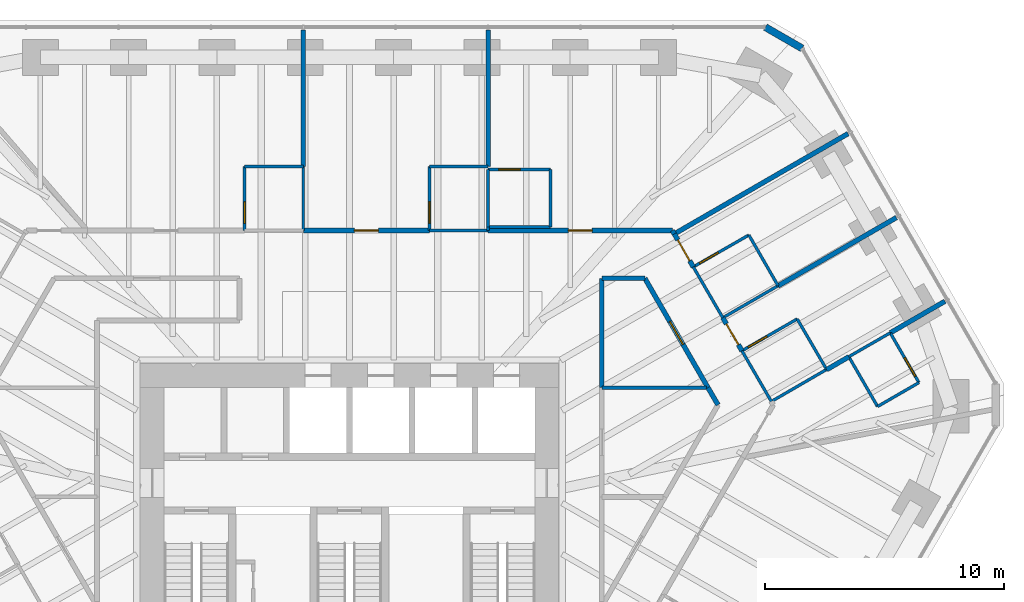
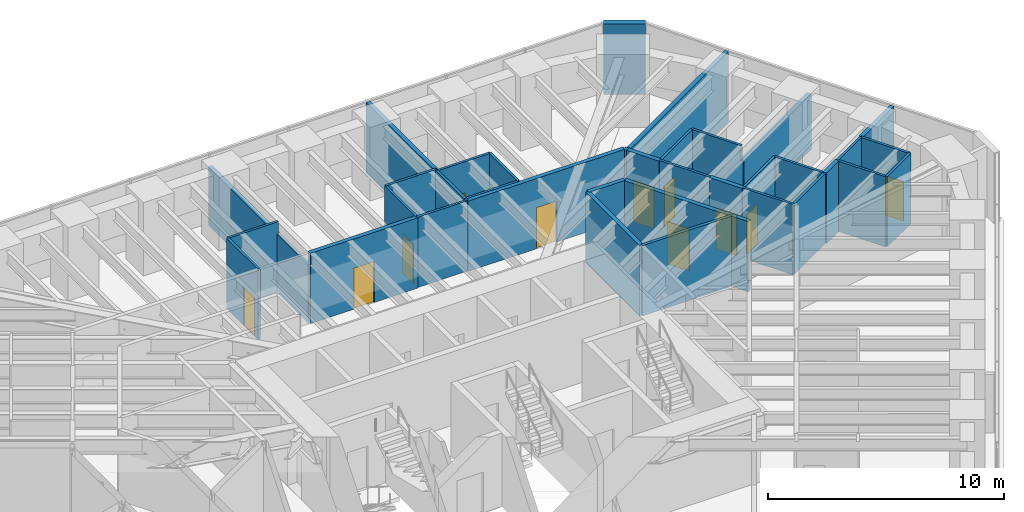
# One storey, part 15 of 17: 40 walls, 11 doors, 11 openings.
"""IFC4 building model written with IfcOpenShell, lengths in metres."""

from ifc_helpers import new_model, si_unit, direction, frame, frame_2d, origin, place, context, subcontext, project, spatial, rectangle, extrude, material, layer, layer_set, type_object, element, fill, save


model = new_model("IFC4")

# Units and contexts
model_context = context("Model", 3, precision=1e-05, world=origin(), true_north=direction((0.0, 1.0)))
body_context = subcontext(model_context, "Body", "Model", "MODEL_VIEW")
ifc_project = project(units=[si_unit("LENGTHUNIT", "METRE"), si_unit("AREAUNIT", "SQUARE_METRE"), si_unit("VOLUMEUNIT", "CUBIC_METRE"), si_unit("PLANEANGLEUNIT", "RADIAN"), si_unit("MASSUNIT", "GRAM", prefix="KILO")], contexts=[model_context])

# Site, building, storey
site_placement = place(None, origin())
site = spatial("IfcSite", under=ifc_project, at=site_placement, CompositionType="ELEMENT")
building_placement = place(site_placement, origin())
building = spatial("IfcBuilding", under=site, at=building_placement, Name="Sandreach Pilgrim Tower", CompositionType="ELEMENT")
storey_placement = place(building_placement, frame((0.0, 0.0, 194.60009765625)))
storey = spatial("IfcBuildingStorey", under=building, at=storey_placement, Name="L48", CompositionType="ELEMENT", Elevation=194.60009765625)

# Wall
ifc_material_1 = material(Name="Gypsum board on steel studs", Category="steel")
ifc_layer_1 = layer(ifc_material_1, 0.14990234375)
ifc_layer_set_1 = layer_set([ifc_layer_1], Name="Back of house wall 150")
wall_type_1 = type_object("IfcWallType", Name="Back of house wall 150", PredefinedType="PARTITIONING", material=ifc_layer_set_1)
wall_1_placement = place(storey_placement, frame((14.93505859375, 6.090087890625, 0.0), z_axis=(0.0, 0.0, 1.0), x_axis=(-1.0, 0.0, 0.0)))
element("IfcWall", 1, at=wall_1_placement, inside=storey, type_object=wall_type_1, Name="Back of house wall L48-140", PredefinedType="PARTITIONING", context=body_context, shape_type="SweptSolid", body=[
    extrude(rectangle(XDim=4.385009765625, YDim=0.14990234375, at=frame_2d((2.1923828125, 0.0))), origin(), (0.0, 0.0, 1.0), 3.639892578125),
])

# Wall, opening, door
ifc_material_2 = material(Name="Moisture-resistant gypsum board on steel studs", Category="steel")
ifc_layer_2 = layer(ifc_material_2, 0.1201171875)
ifc_layer_set_2 = layer_set([ifc_layer_2], Name="Bathroom partition 120")
wall_type_2 = type_object("IfcWallType", Name="Bathroom partition 120", PredefinedType="PARTITIONING", material=ifc_layer_set_2)
wall_2_placement = place(storey_placement, frame((-4.3798828125, 15.330078125, 0.0), z_axis=(0.0, 0.0, 1.0), x_axis=(0.0, -1.0, 0.0)))
wall_2 = element("IfcWall", 2, at=wall_2_placement, inside=storey, type_object=wall_type_2, Name="Bathroom partition L48-064", PredefinedType="PARTITIONING", context=body_context, shape_type="SweptSolid", body=[
    extrude(rectangle(XDim=2.670166015625, YDim=0.1201171875, at=frame_2d((1.3349609375, 0.0))), origin(), (0.0, 0.0, 1.0), 3.639892578125),
])
opening_1_placement = place(wall_2_placement, frame((1.469970703125, 0.0, 0.0)))
opening_1 = element("IfcOpeningElement", 3, at=opening_1_placement, cuts=wall_2, Name="Opening D09-01B", PredefinedType="OPENING", context=body_context, shape_type="SweptSolid", body=[
    extrude(rectangle(XDim=0.89990234375, YDim=2.030029296875, at=frame_2d((0.449951171875, 1.01513671875))), frame((0.0, 0.06005859375, 0.0), z_axis=(0.0, -1.0, 0.0), x_axis=(1.0, 0.0, 0.0)), (0.0, 0.0, 1.0), 0.1201171875),
])
ifc_material_3 = material(Name="Timber door, steel frame", Category="steel")
door_type_1 = type_object("IfcDoorType", Name="Bathroom door", OperationType="SINGLE_SWING_LEFT", PredefinedType="DOOR", material=ifc_material_3)
door_1_placement = place(opening_1_placement, origin())
door_1 = element("IfcDoor", 4, at=door_1_placement, inside=storey, type_object=door_type_1, Name="Door 4801B", OperationType="SINGLE_SWING_RIGHT", OverallHeight=2.030029296875, OverallWidth=0.89990234375, PredefinedType="DOOR", context=body_context, shape_type="SweptSolid", body=[
    extrude(rectangle(XDim=0.89990234375, YDim=2.030029296875, at=frame_2d((0.449951171875, 1.01513671875))), frame((0.0, 0.02490234375, 0.0), z_axis=(0.0, -1.0, 0.0), x_axis=(1.0, 0.0, 0.0)), (0.0, 0.0, 1.0), 0.050048828125),
])
fill(opening_1, door_1)

# Walls
wall_3_placement = place(storey_placement, frame((-1.929931640625, 15.330078125, 0.0), z_axis=(0.0, 0.0, 1.0), x_axis=(-1.0, 0.0, 0.0)))
element("IfcWall", 5, at=wall_3_placement, inside=storey, type_object=wall_type_2, Name="Bathroom partition L48-077", PredefinedType="PARTITIONING", context=body_context, shape_type="SweptSolid", body=[
    extrude(rectangle(XDim=2.449951171875, YDim=0.1201171875, at=frame_2d((1.22509765625, 0.0))), origin(), (0.0, 0.0, 1.0), 3.639892578125),
])
wall_4_placement = place(storey_placement, frame((-1.929931640625, 15.330078125, 0.0), z_axis=(0.0, 0.0, 1.0), x_axis=(0.0, -1.0, 0.0)))
element("IfcWall", 6, at=wall_4_placement, inside=storey, type_object=wall_type_2, Name="Bathroom partition L48-078", PredefinedType="PARTITIONING", context=body_context, shape_type="SweptSolid", body=[
    extrude(rectangle(XDim=2.670166015625, YDim=0.1201171875, at=frame_2d((1.3349609375, 0.0))), origin(), (0.0, 0.0, 1.0), 3.022705078125),
])

# Wall, opening, door
wall_5_placement = place(storey_placement, frame((3.35009765625, 15.330078125, 0.0), z_axis=(0.0, 0.0, 1.0), x_axis=(0.0, -1.0, 0.0)))
wall_5 = element("IfcWall", 7, at=wall_5_placement, inside=storey, type_object=wall_type_2, Name="Bathroom partition L48-094", PredefinedType="PARTITIONING", context=body_context, shape_type="SweptSolid", body=[
    extrude(rectangle(XDim=2.670166015625, YDim=0.1201171875, at=frame_2d((1.3349609375, 0.0))), origin(), (0.0, 0.0, 1.0), 3.639892578125),
])
opening_2_placement = place(wall_5_placement, frame((1.469970703125, 0.0, 0.0)))
opening_2 = element("IfcOpeningElement", 8, at=opening_2_placement, cuts=wall_5, Name="Opening D09-02B", PredefinedType="OPENING", context=body_context, shape_type="SweptSolid", body=[
    extrude(rectangle(XDim=0.89990234375, YDim=2.030029296875, at=frame_2d((0.449951171875, 1.01513671875))), frame((0.0, 0.06005859375, 0.0), z_axis=(0.0, -1.0, 0.0), x_axis=(1.0, 0.0, 0.0)), (0.0, 0.0, 1.0), 0.1201171875),
])
door_2_placement = place(opening_2_placement, origin())
door_2 = element("IfcDoor", 9, at=door_2_placement, inside=storey, type_object=door_type_1, Name="Door 4802B", OperationType="SINGLE_SWING_RIGHT", OverallHeight=2.030029296875, OverallWidth=0.89990234375, PredefinedType="DOOR", context=body_context, shape_type="SweptSolid", body=[
    extrude(rectangle(XDim=0.89990234375, YDim=2.030029296875, at=frame_2d((0.449951171875, 1.01513671875))), frame((0.0, 0.02490234375, 0.0), z_axis=(0.0, -1.0, 0.0), x_axis=(1.0, 0.0, 0.0)), (0.0, 0.0, 1.0), 0.050048828125),
])
fill(opening_2, door_2)

# Walls
wall_6_placement = place(storey_placement, frame((5.800048828125, 12.659912109375, 0.0), z_axis=(0.0, 0.0, 1.0), x_axis=(-1.0, 0.0, 0.0)))
element("IfcWall", 10, at=wall_6_placement, inside=storey, type_object=wall_type_2, Name="Bathroom partition L48-104", PredefinedType="PARTITIONING", context=body_context, shape_type="SweptSolid", body=[
    extrude(rectangle(XDim=2.449951171875, YDim=0.1201171875, at=frame_2d((1.22509765625, 0.0))), origin(), (0.0, 0.0, 1.0), 3.639892578125),
])
wall_7_placement = place(storey_placement, frame((5.800048828125, 12.81005859375, 0.0), z_axis=(0.0, 0.0, 1.0), x_axis=(0.0, -1.0, 0.0)))
element("IfcWall", 11, at=wall_7_placement, inside=storey, type_object=wall_type_2, Name="Bathroom partition L48-105", PredefinedType="PARTITIONING", context=body_context, shape_type="SweptSolid", body=[
    extrude(rectangle(XDim=0.150146484375, YDim=0.1201171875, at=frame_2d((0.0751953125, 0.0))), origin(), (0.0, 0.0, 1.0), 3.639892578125),
])
wall_8_placement = place(storey_placement, frame((5.800048828125, 12.81005859375, 0.0), z_axis=(0.0, 0.0, 1.0), x_axis=(1.0, 0.0, 0.0)))
element("IfcWall", 12, at=wall_8_placement, inside=storey, type_object=wall_type_2, Name="Bathroom partition L48-106", PredefinedType="PARTITIONING", context=body_context, shape_type="SweptSolid", body=[
    extrude(rectangle(XDim=2.599853515625, YDim=0.1201171875, at=frame_2d((1.2998046875, 0.0))), origin(), (0.0, 0.0, 1.0), 3.639892578125),
])
wall_9_placement = place(storey_placement, frame((5.800048828125, 15.2099609375, 0.0), z_axis=(0.0, 0.0, 1.0), x_axis=(0.0, -1.0, 0.0)))
element("IfcWall", 13, at=wall_9_placement, inside=storey, type_object=wall_type_2, Name="Bathroom partition L48-107", PredefinedType="PARTITIONING", context=body_context, shape_type="SweptSolid", body=[
    extrude(rectangle(XDim=2.39990234375, YDim=0.1201171875, at=frame_2d((1.199951171875, 0.0))), origin(), (0.0, 0.0, 1.0), 3.639892578125),
])
wall_10_placement = place(storey_placement, frame((5.800048828125, 15.330078125, 0.0), z_axis=(0.0, 0.0, 1.0), x_axis=(-1.0, 0.0, 0.0)))
element("IfcWall", 14, at=wall_10_placement, inside=storey, type_object=wall_type_2, Name="Bathroom partition L48-108", PredefinedType="PARTITIONING", context=body_context, shape_type="SweptSolid", body=[
    extrude(rectangle(XDim=2.449951171875, YDim=0.1201171875, at=frame_2d((1.22509765625, 0.0))), origin(), (0.0, 0.0, 1.0), 3.639892578125),
])
wall_11_placement = place(storey_placement, frame((8.39990234375, 12.81005859375, 0.0), z_axis=(0.0, 0.0, 1.0), x_axis=(0.0, 1.0, 0.0)))
element("IfcWall", 15, at=wall_11_placement, inside=storey, type_object=wall_type_2, Name="Bathroom partition L48-116", PredefinedType="PARTITIONING", context=body_context, shape_type="SweptSolid", body=[
    extrude(rectangle(XDim=2.39990234375, YDim=0.1201171875, at=frame_2d((1.199951171875, 0.0))), origin(), (0.0, 0.0, 1.0), 3.639892578125),
])

# Wall, opening, door
wall_12_placement = place(storey_placement, frame((8.39990234375, 15.2099609375, 0.0), z_axis=(0.0, 0.0, 1.0), x_axis=(-1.0, 0.0, 0.0)))
wall_12 = element("IfcWall", 16, at=wall_12_placement, inside=storey, type_object=wall_type_2, Name="Bathroom partition L48-117", PredefinedType="PARTITIONING", context=body_context, shape_type="SweptSolid", body=[
    extrude(rectangle(XDim=2.599853515625, YDim=0.1201171875, at=frame_2d((1.2998046875, 0.0))), origin(), (0.0, 0.0, 1.0), 3.639892578125),
])
opening_3_placement = place(wall_12_placement, frame((1.25, 0.0, 0.0)))
opening_3 = element("IfcOpeningElement", 17, at=opening_3_placement, cuts=wall_12, Name="Opening D09-03B", PredefinedType="OPENING", context=body_context, shape_type="SweptSolid", body=[
    extrude(rectangle(XDim=0.89990234375, YDim=2.030029296875, at=frame_2d((0.449951171875, 1.01513671875))), frame((0.0, 0.06005859375, 0.0), z_axis=(0.0, -1.0, 0.0), x_axis=(1.0, 0.0, 0.0)), (0.0, 0.0, 1.0), 0.1201171875),
])
door_3_placement = place(opening_3_placement, origin())
door_3 = element("IfcDoor", 18, at=door_3_placement, inside=storey, type_object=door_type_1, Name="Door 4803B", OperationType="SINGLE_SWING_RIGHT", OverallHeight=2.030029296875, OverallWidth=0.89990234375, PredefinedType="DOOR", context=body_context, shape_type="SweptSolid", body=[
    extrude(rectangle(XDim=0.89990234375, YDim=2.030029296875, at=frame_2d((0.449951171875, 1.01513671875))), frame((0.0, 0.02490234375, 0.0), z_axis=(0.0, -1.0, 0.0), x_axis=(1.0, 0.0, 0.0)), (0.0, 0.0, 1.0), 0.050048828125),
])
fill(opening_3, door_3)

# Walls
wall_13_placement = place(storey_placement, frame((14.37548828125, 11.137451171875, 0.0), z_axis=(0.0, 0.0, 1.0), x_axis=(0.501931973027, -0.864907101632, 0.0)))
element("IfcWall", 19, at=wall_13_placement, inside=storey, type_object=wall_type_2, Name="Bathroom partition L48-139", PredefinedType="PARTITIONING", context=body_context, shape_type="SweptSolid", body=[
    extrude(rectangle(XDim=2.459716796875, YDim=0.1201171875, at=frame_2d((1.22998046875, 0.0))), origin(), (0.0, 0.0, 1.0), 3.639892578125),
])
wall_14_placement = place(storey_placement, frame((16.409912109375, 7.6298828125, 0.0), z_axis=(0.0, 0.0, 1.0), x_axis=(0.501856726365, -0.86495076519, 0.0)))
element("IfcWall", 20, at=wall_14_placement, inside=storey, type_object=wall_type_2, Name="Bathroom partition L48-145", PredefinedType="PARTITIONING", context=body_context, shape_type="SweptSolid", body=[
    extrude(rectangle(XDim=2.450927734375, YDim=0.1201171875, at=frame_2d((1.2255859375, 0.0))), origin(), (0.0, 0.0, 1.0), 3.639892578125),
])

# Wall, opening, door
wall_15_placement = place(storey_placement, frame((16.699951171875, 12.469970703125, 0.0), z_axis=(0.0, 0.0, 1.0), x_axis=(-0.867545659855, -0.497357545501, 0.0)))
wall_15 = element("IfcWall", 21, at=wall_15_placement, inside=storey, type_object=wall_type_2, Name="Bathroom partition L48-148", PredefinedType="PARTITIONING", context=body_context, shape_type="SweptSolid", body=[
    extrude(rectangle(XDim=2.67431640625, YDim=0.1201171875, at=frame_2d((1.337158203125, 0.0))), origin(), (0.0, 0.0, 1.0), 3.639892578125),
])
opening_4_placement = place(wall_15_placement, frame((1.47412109375, 0.0, 0.0)))
opening_4 = element("IfcOpeningElement", 22, at=opening_4_placement, cuts=wall_15, Name="Opening D09-04B", PredefinedType="OPENING", context=body_context, shape_type="SweptSolid", body=[
    extrude(rectangle(XDim=0.89990234375, YDim=2.030029296875, at=frame_2d((0.449951171875, 1.01513671875))), frame((0.0, 0.06005859375, 0.0), z_axis=(0.0, -1.0, 0.0), x_axis=(1.0, 0.0, 0.0)), (0.0, 0.0, 1.0), 0.1201171875),
])
door_4_placement = place(opening_4_placement, origin())
door_4 = element("IfcDoor", 23, at=door_4_placement, inside=storey, type_object=door_type_1, Name="Door 4804B", OperationType="SINGLE_SWING_RIGHT", OverallHeight=2.030029296875, OverallWidth=0.89990234375, PredefinedType="DOOR", context=body_context, shape_type="SweptSolid", body=[
    extrude(rectangle(XDim=0.89990234375, YDim=2.030029296875, at=frame_2d((0.449951171875, 1.01513671875))), frame((0.0, 0.02490234375, 0.0), z_axis=(0.0, -1.0, 0.0), x_axis=(1.0, 0.0, 0.0)), (0.0, 0.0, 1.0), 0.050048828125),
])
fill(opening_4, door_4)

# Walls
wall_16_placement = place(storey_placement, frame((17.639892578125, 5.510009765625, 0.0), z_axis=(0.0, 0.0, 1.0), x_axis=(0.86498992408, 0.501789229896, 0.0)))
element("IfcWall", 24, at=wall_16_placement, inside=storey, type_object=wall_type_2, Name="Bathroom partition L48-149", PredefinedType="PARTITIONING", context=body_context, shape_type="SweptSolid", body=[
    extrude(rectangle(XDim=2.670654296875, YDim=0.1201171875, at=frame_2d((1.33544921875, 0.0))), origin(), (0.0, 0.0, 1.0), 3.639892578125),
])
wall_17_placement = place(storey_placement, frame((17.919921875, 10.35009765625, 0.0), z_axis=(0.0, 0.0, 1.0), x_axis=(-0.864966903181, -0.501828911485, 0.0)))
element("IfcWall", 25, at=wall_17_placement, inside=storey, type_object=wall_type_2, Name="Bathroom partition L48-151", PredefinedType="PARTITIONING", context=body_context, shape_type="SweptSolid", body=[
    extrude(rectangle(XDim=2.67041015625, YDim=0.1201171875, at=frame_2d((1.335205078125, 0.0))), origin(), (0.0, 0.0, 1.0), 2.8779296875),
])
wall_18_placement = place(storey_placement, frame((17.919921875, 10.35009765625, 0.0), z_axis=(0.0, 0.0, 1.0), x_axis=(-0.498791783817, 0.866721844883, 0.0)))
element("IfcWall", 26, at=wall_18_placement, inside=storey, type_object=wall_type_2, Name="Bathroom partition L48-152", PredefinedType="PARTITIONING", context=body_context, shape_type="SweptSolid", body=[
    extrude(rectangle(XDim=2.44580078125, YDim=0.1201171875, at=frame_2d((1.222900390625, 0.0))), origin(), (0.0, 0.0, 1.0), 3.639892578125),
])

# Wall, opening, door
wall_19_placement = place(storey_placement, frame((18.719970703125, 8.9599609375, 0.0), z_axis=(0.0, 0.0, 1.0), x_axis=(-0.866654860089, -0.498908161372, 0.0)))
wall_19 = element("IfcWall", 27, at=wall_19_placement, inside=storey, type_object=wall_type_2, Name="Bathroom partition L48-154", PredefinedType="PARTITIONING", context=body_context, shape_type="SweptSolid", body=[
    extrude(rectangle(XDim=2.66552734375, YDim=0.1201171875, at=frame_2d((1.332763671875, 0.0))), origin(), (0.0, 0.0, 1.0), 3.639892578125),
])
opening_5_placement = place(wall_19_placement, frame((1.465576171875, 0.0, 0.0)))
opening_5 = element("IfcOpeningElement", 28, at=opening_5_placement, cuts=wall_19, Name="Opening D09-05B", PredefinedType="OPENING", context=body_context, shape_type="SweptSolid", body=[
    extrude(rectangle(XDim=0.89990234375, YDim=2.030029296875, at=frame_2d((0.449951171875, 1.01513671875))), frame((0.0, 0.06005859375, 0.0), z_axis=(0.0, -1.0, 0.0), x_axis=(1.0, 0.0, 0.0)), (0.0, 0.0, 1.0), 0.1201171875),
])
door_5_placement = place(opening_5_placement, origin())
door_5 = element("IfcDoor", 29, at=door_5_placement, inside=storey, type_object=door_type_1, Name="Door 4805B", OperationType="SINGLE_SWING_RIGHT", OverallHeight=2.030029296875, OverallWidth=0.89990234375, PredefinedType="DOOR", context=body_context, shape_type="SweptSolid", body=[
    extrude(rectangle(XDim=0.89990234375, YDim=2.030029296875, at=frame_2d((0.449951171875, 1.01513671875))), frame((0.0, 0.02490234375, 0.0), z_axis=(0.0, -1.0, 0.0), x_axis=(1.0, 0.0, 0.0)), (0.0, 0.0, 1.0), 0.050048828125),
])
fill(opening_5, door_5)

# Walls
wall_20_placement = place(storey_placement, frame((19.949951171875, 6.85009765625, 0.0), z_axis=(0.0, 0.0, 1.0), x_axis=(-0.503634814725, 0.863916647251, 0.0)))
element("IfcWall", 30, at=wall_20_placement, inside=storey, type_object=wall_type_2, Name="Bathroom partition L48-155", PredefinedType="PARTITIONING", context=body_context, shape_type="SweptSolid", body=[
    extrude(rectangle(XDim=2.442138671875, YDim=0.1201171875, at=frame_2d((1.22119140625, 0.0))), origin(), (0.0, 0.0, 1.0), 3.639892578125),
])
wall_21_placement = place(storey_placement, frame((20.878173828125, 7.383056640625, 0.0), z_axis=(0.0, 0.0, 1.0), x_axis=(0.866697688948, 0.498833755847, 0.0)))
element("IfcWall", 31, at=wall_21_placement, inside=storey, type_object=wall_type_2, Name="Bathroom partition L48-157", PredefinedType="PARTITIONING", context=body_context, shape_type="SweptSolid", body=[
    extrude(rectangle(XDim=1.998291015625, YDim=0.1201171875, at=frame_2d((0.9990234375, 0.0))), origin(), (0.0, 0.0, 1.0), 3.639892578125),
])
wall_22_placement = place(storey_placement, frame((20.8798828125, 7.3798828125, 0.0), z_axis=(0.0, 0.0, 1.0), x_axis=(0.499813401482, -0.866133109688, 0.0)))
element("IfcWall", 32, at=wall_22_placement, inside=storey, type_object=wall_type_2, Name="Bathroom partition L48-159", PredefinedType="PARTITIONING", context=body_context, shape_type="SweptSolid", body=[
    extrude(rectangle(XDim=2.4013671875, YDim=0.1201171875, at=frame_2d((1.20068359375, 0.0))), origin(), (0.0, 0.0, 1.0), 3.639892578125),
])
wall_23_placement = place(storey_placement, frame((22.080078125, 5.300048828125, 0.0), z_axis=(0.0, 0.0, 1.0), x_axis=(0.865766263046, 0.50044857655, 0.0)))
element("IfcWall", 33, at=wall_23_placement, inside=storey, type_object=wall_type_2, Name="Bathroom partition L48-160", PredefinedType="PARTITIONING", context=body_context, shape_type="SweptSolid", body=[
    extrude(rectangle(XDim=1.998291015625, YDim=0.1201171875, at=frame_2d((0.9990234375, 0.0))), origin(), (0.0, 0.0, 1.0), 3.639892578125),
])

# Wall, opening, door
wall_24_placement = place(storey_placement, frame((23.81005859375, 6.300048828125, 0.0), z_axis=(0.0, 0.0, 1.0), x_axis=(-0.499737123639, 0.866177122335, 0.0)))
wall_24 = element("IfcWall", 34, at=wall_24_placement, inside=storey, type_object=wall_type_2, Name="Bathroom partition L48-162", PredefinedType="PARTITIONING", context=body_context, shape_type="SweptSolid", body=[
    extrude(rectangle(XDim=2.401123046875, YDim=0.1201171875, at=frame_2d((1.20068359375, 0.0))), origin(), (0.0, 0.0, 1.0), 3.639892578125),
])
opening_6_placement = place(wall_24_placement, frame((0.300048828125, 0.0, 0.0)))
opening_6 = element("IfcOpeningElement", 35, at=opening_6_placement, cuts=wall_24, Name="Opening D09-06B", PredefinedType="OPENING", context=body_context, shape_type="SweptSolid", body=[
    extrude(rectangle(XDim=0.89990234375, YDim=2.030029296875, at=frame_2d((0.449951171875, 1.01513671875))), frame((0.0, 0.06005859375, 0.0), z_axis=(0.0, -1.0, 0.0), x_axis=(1.0, 0.0, 0.0)), (0.0, 0.0, 1.0), 0.1201171875),
])
door_6_placement = place(opening_6_placement, origin())
door_6 = element("IfcDoor", 36, at=door_6_placement, inside=storey, type_object=door_type_1, Name="Door 4806B", OperationType="SINGLE_SWING_LEFT", OverallHeight=2.030029296875, OverallWidth=0.89990234375, PredefinedType="DOOR", context=body_context, shape_type="SweptSolid", body=[
    extrude(rectangle(XDim=0.89990234375, YDim=2.030029296875, at=frame_2d((0.449951171875, 1.01513671875))), frame((0.0, 0.02490234375, 0.0), z_axis=(0.0, -1.0, 0.0), x_axis=(1.0, 0.0, 0.0)), (0.0, 0.0, 1.0), 0.050048828125),
])
fill(opening_6, door_6)

ifc_material_4 = material(Name="Gypsum board on steel studs, two layers each side", Category="steel")
ifc_layer_3 = layer(ifc_material_4, 0.199951171875)
ifc_layer_set_3 = layer_set([ifc_layer_3], Name="Corridor wall 200")
wall_type_3 = type_object("IfcWallType", Name="Corridor wall 200", PredefinedType="PARTITIONING", material=ifc_layer_set_3)
wall_25_placement = place(storey_placement, frame((3.35009765625, 12.659912109375, 0.0), z_axis=(0.0, 0.0, 1.0), x_axis=(-1.0, 0.0, 0.0)))
wall_25 = element("IfcWall", 37, at=wall_25_placement, inside=storey, type_object=wall_type_3, Name="Corridor wall L48-093", PredefinedType="PARTITIONING", context=body_context, shape_type="SweptSolid", body=[
    extrude(rectangle(XDim=5.280029296875, YDim=0.199951171875, at=frame_2d((2.64013671875, 0.0))), origin(), (0.0, 0.0, 1.0), 3.639892578125),
])
opening_7_placement = place(wall_25_placement, frame((2.139892578125, 0.0, 0.0)))
opening_7 = element("IfcOpeningElement", 38, at=opening_7_placement, cuts=wall_25, Name="Opening D10-02", PredefinedType="OPENING", context=body_context, shape_type="SweptSolid", body=[
    extrude(rectangle(XDim=1.0, YDim=2.1298828125, at=frame_2d((0.5, 1.06494140625))), frame((0.0, 0.10009765625, 0.0), z_axis=(0.0, -1.0, 0.0), x_axis=(1.0, 0.0, 0.0)), (0.0, 0.0, 1.0), 0.199951171875),
])
ifc_material_5 = material(Name="Steel door and frame", Category="steel")
door_type_2 = type_object("IfcDoorType", Name="Guest room entry door", OperationType="SINGLE_SWING_LEFT", PredefinedType="DOOR", material=ifc_material_5)
door_7_placement = place(opening_7_placement, origin())
door_7 = element("IfcDoor", 39, at=door_7_placement, inside=storey, type_object=door_type_2, Name="Door 4802", OperationType="SINGLE_SWING_LEFT", OverallHeight=2.1298828125, OverallWidth=1.0, PredefinedType="DOOR", context=body_context, shape_type="SweptSolid", body=[
    extrude(rectangle(XDim=1.0, YDim=2.1298828125, at=frame_2d((0.5, 1.06494140625))), frame((0.0, 0.02490234375, 0.0), z_axis=(0.0, -1.0, 0.0), x_axis=(1.0, 0.0, 0.0)), (0.0, 0.0, 1.0), 0.050048828125),
])
fill(opening_7, door_7)

# Walls
wall_26_placement = place(storey_placement, frame((10.550048828125, 6.090087890625, 0.0), z_axis=(0.0, 0.0, 1.0), x_axis=(0.0, 1.0, 0.0)))
element("IfcWall", 40, at=wall_26_placement, inside=storey, type_object=wall_type_3, Name="Corridor wall L48-125", PredefinedType="PARTITIONING", context=body_context, shape_type="SweptSolid", body=[
    extrude(rectangle(XDim=4.56982421875, YDim=0.199951171875, at=frame_2d((2.284912109375, 0.0))), origin(), (0.0, 0.0, 1.0), 3.639892578125),
])
wall_27_placement = place(storey_placement, frame((10.56005859375, 10.659912109375, 0.0), z_axis=(0.0, 0.0, 1.0), x_axis=(1.0, 0.0, 0.0)))
element("IfcWall", 41, at=wall_27_placement, inside=storey, type_object=wall_type_3, Name="Corridor wall L48-127", PredefinedType="PARTITIONING", context=body_context, shape_type="SweptSolid", body=[
    extrude(rectangle(XDim=1.7900390625, YDim=0.199951171875, at=frame_2d((0.89501953125, 0.0))), origin(), (0.0, 0.0, 1.0), 3.639892578125),
])

# Wall, opening, door
wall_28_placement = place(storey_placement, frame((12.35009765625, 10.659912109375, 0.0), z_axis=(0.0, 0.0, 1.0), x_axis=(0.500213626659, -0.86590203124, 0.0)))
wall_28 = element("IfcWall", 42, at=wall_28_placement, inside=storey, type_object=wall_type_3, Name="Corridor wall L48-131", PredefinedType="PARTITIONING", context=body_context, shape_type="SweptSolid", body=[
    extrude(rectangle(XDim=5.277587890625, YDim=0.199951171875, at=frame_2d((2.638671875, 0.0))), origin(), (0.0, 0.0, 1.0), 3.639892578125),
])
opening_8_placement = place(wall_28_placement, frame((2.0888671875, 0.0, 0.0)))
opening_8 = element("IfcOpeningElement", 43, at=opening_8_placement, cuts=wall_28, Name="Opening D11H-M05", PredefinedType="OPENING", context=body_context, shape_type="SweptSolid", body=[
    extrude(rectangle(XDim=1.10009765625, YDim=2.199951171875, at=frame_2d((0.550048828125, 1.10009765625))), frame((0.0, 0.10009765625, 0.0), z_axis=(0.0, -1.0, 0.0), x_axis=(1.0, 0.0, 0.0)), (0.0, 0.0, 1.0), 0.199951171875),
])
ifc_material_6 = material(Name="Steel door and frame", Category="steel")
door_type_3 = type_object("IfcDoorType", Name="Back of house door", OperationType="SINGLE_SWING_LEFT", PredefinedType="DOOR", material=ifc_material_6)
door_8_placement = place(opening_8_placement, origin())
door_8 = element("IfcDoor", 44, at=door_8_placement, inside=storey, type_object=door_type_3, Name="Door 48M05", OperationType="SINGLE_SWING_LEFT", OverallHeight=2.199951171875, OverallWidth=1.10009765625, PredefinedType="DOOR", context=body_context, shape_type="SweptSolid", body=[
    extrude(rectangle(XDim=1.10009765625, YDim=2.199951171875, at=frame_2d((0.550048828125, 1.10009765625))), frame((0.0, 0.02490234375, 0.0), z_axis=(0.0, -1.0, 0.0), x_axis=(1.0, 0.0, 0.0)), (0.0, 0.0, 1.0), 0.050048828125),
])
fill(opening_8, door_8)

wall_29_placement = place(storey_placement, frame((13.5, 12.659912109375, 0.0), z_axis=(0.0, 0.0, 1.0), x_axis=(-1.0, 0.0, 0.0)))
wall_29 = element("IfcWall", 45, at=wall_29_placement, inside=storey, type_object=wall_type_3, Name="Corridor wall L48-134", PredefinedType="PARTITIONING", context=body_context, shape_type="SweptSolid", body=[
    extrude(rectangle(XDim=7.699951171875, YDim=0.199951171875, at=frame_2d((3.85009765625, 0.0))), origin(), (0.0, 0.0, 1.0), 3.639892578125),
])
opening_9_placement = place(wall_29_placement, frame((3.35009765625, 0.0, 0.0)))
opening_9 = element("IfcOpeningElement", 46, at=opening_9_placement, cuts=wall_29, Name="Opening D10-03", PredefinedType="OPENING", context=body_context, shape_type="SweptSolid", body=[
    extrude(rectangle(XDim=1.0, YDim=2.1298828125, at=frame_2d((0.5, 1.06494140625))), frame((0.0, 0.10009765625, 0.0), z_axis=(0.0, -1.0, 0.0), x_axis=(1.0, 0.0, 0.0)), (0.0, 0.0, 1.0), 0.199951171875),
])
door_9_placement = place(opening_9_placement, origin())
door_9 = element("IfcDoor", 47, at=door_9_placement, inside=storey, type_object=door_type_2, Name="Door 4803", OperationType="SINGLE_SWING_LEFT", OverallHeight=2.1298828125, OverallWidth=1.0, PredefinedType="DOOR", context=body_context, shape_type="SweptSolid", body=[
    extrude(rectangle(XDim=1.0, YDim=2.1298828125, at=frame_2d((0.5, 1.06494140625))), frame((0.0, 0.02490234375, 0.0), z_axis=(0.0, -1.0, 0.0), x_axis=(1.0, 0.0, 0.0)), (0.0, 0.0, 1.0), 0.050048828125),
])
fill(opening_9, door_9)

# Wall
wall_30_placement = place(storey_placement, frame((13.5, 12.659912109375, 0.0), z_axis=(0.0, 0.0, 1.0), x_axis=(0.498194987799, -0.867065023013, 0.0)))
element("IfcWall", 48, at=wall_30_placement, inside=storey, type_object=wall_type_3, Name="Corridor wall L48-135", PredefinedType="PARTITIONING", context=body_context, shape_type="SweptSolid", body=[
    extrude(rectangle(XDim=0.166015625, YDim=0.199951171875, at=frame_2d((0.0830078125, 0.0))), origin(), (0.0, 0.0, 1.0), 3.639892578125),
])

# Wall, opening, door
wall_31_placement = place(storey_placement, frame((13.582763671875, 12.515869140625, 0.0), z_axis=(0.0, 0.0, 1.0), x_axis=(0.498534585837, -0.866869809559, 0.0)))
wall_31 = element("IfcWall", 49, at=wall_31_placement, inside=storey, type_object=wall_type_3, Name="Corridor wall L48-136", PredefinedType="PARTITIONING", context=body_context, shape_type="SweptSolid", body=[
    extrude(rectangle(XDim=1.590087890625, YDim=0.199951171875, at=frame_2d((0.794921875, 0.0))), origin(), (0.0, 0.0, 1.0), 3.639892578125),
])
opening_10_placement = place(wall_31_placement, frame((0.295166015625, 0.0, 0.0)))
opening_10 = element("IfcOpeningElement", 50, at=opening_10_placement, cuts=wall_31, Name="Opening D10-04", PredefinedType="OPENING", context=body_context, shape_type="SweptSolid", body=[
    extrude(rectangle(XDim=1.0, YDim=2.1298828125, at=frame_2d((0.5, 1.06494140625))), frame((0.0, 0.10009765625, 0.0), z_axis=(0.0, -1.0, 0.0), x_axis=(1.0, 0.0, 0.0)), (0.0, 0.0, 1.0), 0.199951171875),
])
door_10_placement = place(opening_10_placement, origin())
door_10 = element("IfcDoor", 51, at=door_10_placement, inside=storey, type_object=door_type_2, Name="Door 4804", OperationType="SINGLE_SWING_LEFT", OverallHeight=2.1298828125, OverallWidth=1.0, PredefinedType="DOOR", context=body_context, shape_type="SweptSolid", body=[
    extrude(rectangle(XDim=1.0, YDim=2.1298828125, at=frame_2d((0.5, 1.06494140625))), frame((0.0, 0.02490234375, 0.0), z_axis=(0.0, -1.0, 0.0), x_axis=(1.0, 0.0, 0.0)), (0.0, 0.0, 1.0), 0.050048828125),
])
fill(opening_10, door_10)

# Wall
wall_32_placement = place(storey_placement, frame((14.989990234375, 6.090087890625, 0.0), z_axis=(0.0, 0.0, 1.0), x_axis=(0.503816387241, -0.863810770914, 0.0)))
element("IfcWall", 52, at=wall_32_placement, inside=storey, type_object=wall_type_3, Name="Corridor wall L48-141", PredefinedType="PARTITIONING", context=body_context, shape_type="SweptSolid", body=[
    extrude(rectangle(XDim=0.83349609375, YDim=0.199951171875, at=frame_2d((0.416748046875, 0.0))), origin(), (0.0, 0.0, 1.0), 3.639892578125),
])

# Wall, opening, door
wall_33_placement = place(storey_placement, frame((15.610107421875, 9.010009765625, 0.0), z_axis=(0.0, 0.0, 1.0), x_axis=(0.5014706583, -0.865174652232, 0.0)))
wall_33 = element("IfcWall", 53, at=wall_33_placement, inside=storey, type_object=wall_type_3, Name="Corridor wall L48-144", PredefinedType="PARTITIONING", context=body_context, shape_type="SweptSolid", body=[
    extrude(rectangle(XDim=1.594970703125, YDim=0.199951171875, at=frame_2d((0.79736328125, 0.0))), origin(), (0.0, 0.0, 1.0), 3.639892578125),
])
opening_11_placement = place(wall_33_placement, frame((0.297607421875, 0.0, 0.0)))
opening_11 = element("IfcOpeningElement", 54, at=opening_11_placement, cuts=wall_33, Name="Opening D10-05", PredefinedType="OPENING", context=body_context, shape_type="SweptSolid", body=[
    extrude(rectangle(XDim=1.0, YDim=2.1298828125, at=frame_2d((0.5, 1.06494140625))), frame((0.0, 0.10009765625, 0.0), z_axis=(0.0, -1.0, 0.0), x_axis=(1.0, 0.0, 0.0)), (0.0, 0.0, 1.0), 0.199951171875),
])
door_11_placement = place(opening_11_placement, origin())
door_11 = element("IfcDoor", 55, at=door_11_placement, inside=storey, type_object=door_type_2, Name="Door 4805", OperationType="SINGLE_SWING_LEFT", OverallHeight=2.1298828125, OverallWidth=1.0, PredefinedType="DOOR", context=body_context, shape_type="SweptSolid", body=[
    extrude(rectangle(XDim=1.0, YDim=2.1298828125, at=frame_2d((0.5, 1.06494140625))), frame((0.0, 0.02490234375, 0.0), z_axis=(0.0, -1.0, 0.0), x_axis=(1.0, 0.0, 0.0)), (0.0, 0.0, 1.0), 0.050048828125),
])
fill(opening_11, door_11)

# Walls
ifc_material_7 = material(Name="Double steel stud acoustic wall, gypsum board", Category="steel")
ifc_layer_4 = layer(ifc_material_7, 0.199951171875)
ifc_layer_set_4 = layer_set([ifc_layer_4], Name="Party wall 200")
wall_type_4 = type_object("IfcWallType", Name="Party wall 200", PredefinedType="PARTITIONING", material=ifc_layer_set_4)
wall_34_placement = place(storey_placement, frame((-1.929931640625, 21.0400390625, 0.0), z_axis=(0.0, 0.0, 1.0), x_axis=(0.0, -1.0, 0.0)))
element("IfcWall", 56, at=wall_34_placement, inside=storey, type_object=wall_type_4, Name="Party wall L48-079", PredefinedType="PARTITIONING", context=body_context, shape_type="SweptSolid", body=[
    extrude(rectangle(XDim=5.7099609375, YDim=0.199951171875, at=frame_2d((2.85498046875, 0.0))), origin(), (0.0, 0.0, 1.0), 3.022705078125),
])
wall_35_placement = place(storey_placement, frame((5.800048828125, 21.0400390625, 0.0), z_axis=(0.0, 0.0, 1.0), x_axis=(0.0, -1.0, 0.0)))
element("IfcWall", 57, at=wall_35_placement, inside=storey, type_object=wall_type_4, Name="Party wall L48-109", PredefinedType="PARTITIONING", context=body_context, shape_type="SweptSolid", body=[
    extrude(rectangle(XDim=5.7099609375, YDim=0.199951171875, at=frame_2d((2.85498046875, 0.0))), origin(), (0.0, 0.0, 1.0), 3.639892578125),
])
wall_36_placement = place(storey_placement, frame((17.922607421875, 10.345458984375, 0.0), z_axis=(0.0, 0.0, 1.0), x_axis=(0.865991848905, 0.500058114253, 0.0)))
element("IfcWall", 58, at=wall_36_placement, inside=storey, type_object=wall_type_4, Name="Party wall L48-153", PredefinedType="PARTITIONING", context=body_context, shape_type="SweptSolid", body=[
    extrude(rectangle(XDim=5.708251953125, YDim=0.199951171875, at=frame_2d((2.85400390625, 0.0))), origin(), (0.0, 0.0, 1.0), 2.8779296875),
])
wall_37_placement = place(storey_placement, frame((20.84619140625, 16.7099609375, 0.0), z_axis=(0.0, 0.0, 1.0), x_axis=(-0.865987970466, -0.500064830806, 0.0)))
element("IfcWall", 59, at=wall_37_placement, inside=storey, type_object=wall_type_4, Name="Party wall L48-156", PredefinedType="PARTITIONING", context=body_context, shape_type="SweptSolid", body=[
    extrude(rectangle(XDim=8.3740234375, YDim=0.199951171875, at=frame_2d((4.18701171875, 0.0))), origin(), (0.0, 0.0, 1.0), 3.639892578125),
])
wall_38_placement = place(storey_placement, frame((20.8798828125, 7.3798828125, 0.0), z_axis=(0.0, 0.0, 1.0), x_axis=(-0.864855730486, -0.502020483094, 0.0)))
element("IfcWall", 60, at=wall_38_placement, inside=storey, type_object=wall_type_4, Name="Party wall L48-158", PredefinedType="PARTITIONING", context=body_context, shape_type="SweptSolid", body=[
    extrude(rectangle(XDim=1.0751953125, YDim=0.199951171875, at=frame_2d((0.53759765625, 0.0))), origin(), (0.0, 0.0, 1.0), 3.639892578125),
])
wall_39_placement = place(storey_placement, frame((22.610107421875, 8.3798828125, 0.0), z_axis=(0.0, 0.0, 1.0), x_axis=(0.865974560031, 0.500088053625, 0.0)))
element("IfcWall", 61, at=wall_39_placement, inside=storey, type_object=wall_type_4, Name="Party wall L48-161", PredefinedType="PARTITIONING", context=body_context, shape_type="SweptSolid", body=[
    extrude(rectangle(XDim=2.6396484375, YDim=0.199951171875, at=frame_2d((1.31982421875, 0.0))), origin(), (0.0, 0.0, 1.0), 3.639892578125),
])
ifc_material_8 = material(Name="Terracotta rainscreen on concrete", Category="masonry")
ifc_layer_5 = layer(ifc_material_8, 0.300048828125)
ifc_layer_set_5 = layer_set([ifc_layer_5], Name="Terracotta chamfer pier")
wall_type_5 = type_object("IfcWallType", Name="Terracotta chamfer pier", PredefinedType="SOLIDWALL", material=ifc_layer_set_5)
wall_40_placement = place(storey_placement, frame((17.389892578125, 21.16015625, 0.0), z_axis=(0.0, 0.0, 1.0), x_axis=(0.866036293601, -0.499981137809, 0.0)))
element("IfcWall", 62, at=wall_40_placement, inside=storey, type_object=wall_type_5, Name="Chamfer pier L48 N", PredefinedType="SOLIDWALL", context=body_context, shape_type="SweptSolid", body=[
    extrude(rectangle(XDim=1.77001953125, YDim=0.300048828125, at=frame_2d((0.885009765625, 0.0))), origin(), (0.0, 0.0, 1.0), 3.639892578125),
])

save(model, "model.ifc")
